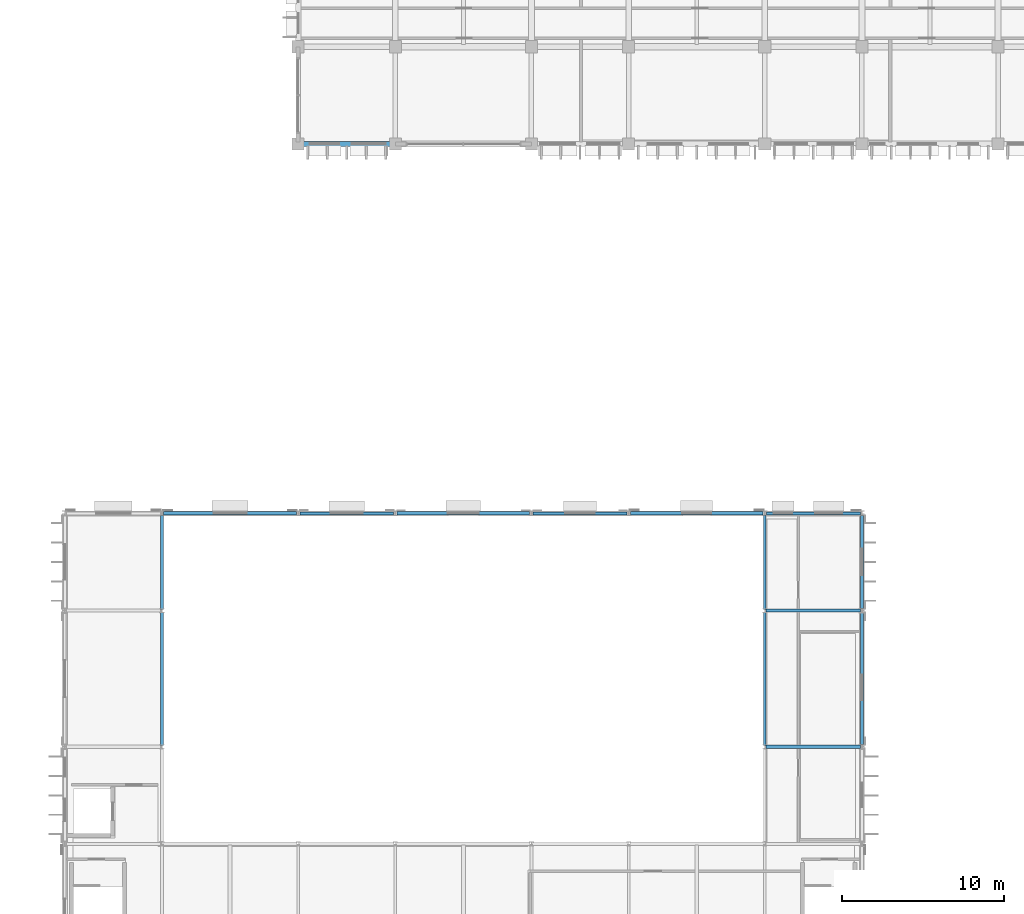
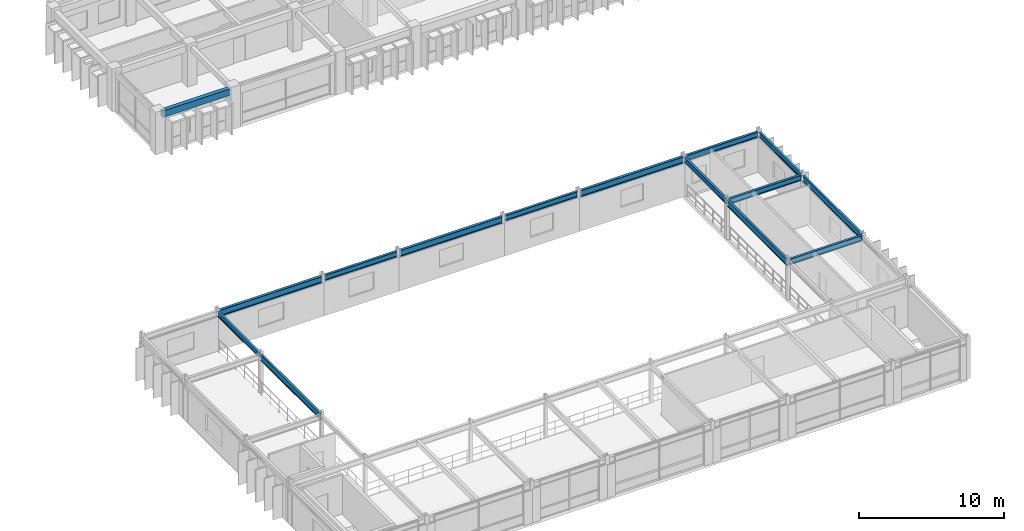
# One storey, part 28 of 88: 15 beams.
"""IFC4 building model written with IfcOpenShell, lengths in metres."""

import ifcopenshell
import ifcopenshell.guid

model = None  # the IFC model being written
_history = None  # IfcOwnerHistory: only IFC2X3 demands one
_inside = {}  # id of a spatial element -> (the spatial element, [elements in it])
_under = {}  # id of a project, library or spatial element -> (it, [spatial elements below it])
_declared = {}  # id of a project -> (the project, [libraries it declares])
_typed = {}  # id of a type object -> (the type object, [elements of that type])
_made_of = {}  # id of a material, layer set ... -> (it, [elements and type objects made of it])


def new_model(schema):
    """Start an empty IFC model of exactly this schema.

    Asked for "IFC4X3", IfcOpenShell would pick the latest addendum, in which some entities
    have other attributes; the version numbers below select the first issue.
    IFC2X3 requires an IfcOwnerHistory on every rooted entity: one is made here for all.
    """
    global model, _history
    if schema == "IFC4X3":
        model = ifcopenshell.file(schema_version=(4, 3, 0, 0))
    else:
        model = ifcopenshell.file(schema=schema)
    _inside.clear()
    _under.clear()
    _declared.clear()
    _typed.clear()
    _made_of.clear()
    _history = None
    if model.schema == "IFC2X3":
        org = make("IfcOrganization", Name="unknown")
        user = make(
            "IfcPersonAndOrganization",
            ThePerson=make("IfcPerson", FamilyName="unknown"),
            TheOrganization=org,
        )
        app = make(
            "IfcApplication",
            ApplicationDeveloper=org,
            Version="unknown",
            ApplicationFullName="unknown",
            ApplicationIdentifier="unknown",
        )
        _history = make(
            "IfcOwnerHistory",
            OwningUser=user,
            OwningApplication=app,
            ChangeAction="ADDED",
            CreationDate=0,
        )
    return model


def make(cls, **values):
    """One entity of the class cls with the attributes given. An attribute that is None is left unset."""
    return model.create_entity(
        cls, **{name: value for name, value in values.items() if value is not None}
    )


def rooted(cls, **values):
    """An entity with a GlobalId (a new one), such as an element, a storey or a relation."""
    return make(cls, GlobalId=ifcopenshell.guid.new(), OwnerHistory=_history, **values)


def si_unit(unit_type, name, prefix=None):
    """IfcSIUnit, for example si_unit("LENGTHUNIT", "METRE", prefix="MILLI")."""
    return make("IfcSIUnit", UnitType=unit_type, Prefix=prefix, Name=name)


def assignment(units):
    """IfcUnitAssignment: the units of a project."""
    return None if units is None else make("IfcUnitAssignment", Units=units)


def point(xyz):
    """IfcCartesianPoint."""
    return None if xyz is None else make("IfcCartesianPoint", Coordinates=xyz)


def direction(xyz):
    """IfcDirection."""
    return None if xyz is None else make("IfcDirection", DirectionRatios=xyz)


def frame(location, z_axis=None, x_axis=None):
    """IfcAxis2Placement3D, a coordinate frame: its origin and axes. An axis left out is left unset."""
    return make(
        "IfcAxis2Placement3D",
        Location=point(location),
        Axis=direction(z_axis),
        RefDirection=direction(x_axis),
    )


def frame_2d(location, x_axis=None):
    """IfcAxis2Placement2D, a coordinate frame in the plane: its origin and x axis."""
    return make(
        "IfcAxis2Placement2D", Location=point(location), RefDirection=direction(x_axis)
    )


def origin():
    """The frame at (0, 0, 0) with its axes left unset."""
    return frame((0.0, 0.0, 0.0))


def origin_2d():
    """The frame at (0, 0) in the plane with its x axis left unset."""
    return frame_2d((0.0, 0.0))


def place(relative_to, where):
    """IfcLocalPlacement: puts the frame where relative to a parent placement (None: the world)."""
    return make(
        "IfcLocalPlacement", PlacementRelTo=relative_to, RelativePlacement=where
    )


def context(
    kind, dimensions, precision=None, world=None, true_north=None, identifier=None
):
    """IfcGeometricRepresentationContext, for example the 3D "Model" context."""
    return make(
        "IfcGeometricRepresentationContext",
        ContextIdentifier=identifier,
        ContextType=kind,
        CoordinateSpaceDimension=dimensions,
        Precision=precision,
        WorldCoordinateSystem=world,
        TrueNorth=true_north,
    )


def subcontext(parent, identifier, kind, view, scale=None):
    """IfcGeometricRepresentationSubContext, for example "Body" below "Model"."""
    return make(
        "IfcGeometricRepresentationSubContext",
        ContextIdentifier=identifier,
        ContextType=kind,
        ParentContext=parent,
        TargetScale=scale,
        TargetView=view,
    )


def project(units=None, contexts=None):
    """IfcProject with its units and contexts."""
    return rooted(
        "IfcProject",
        Name="project",
        RepresentationContexts=contexts,
        UnitsInContext=assignment(units),
    )


def spatial(cls, under=None, at=None, **own):
    """A site, building, storey or space (cls), placed at a placement, below another one or the project."""
    s = rooted(cls, ObjectPlacement=at, **own)
    if under is not None:
        _under.setdefault(under.id(), (under, []))[1].append(s)
    return s


def profile(cls, at=None, kind="AREA", **sizes):
    """A parametric profile (cls). Its sizes go by their IFC names, for example OverallWidth=200.0."""
    return make(cls, ProfileType=kind, Position=at, **sizes)


def rectangle(**sizes):
    """IfcRectangleProfileDef."""
    return profile("IfcRectangleProfileDef", **sizes)


def i_section(**sizes):
    """IfcIShapeProfileDef."""
    return profile("IfcIShapeProfileDef", **sizes)


def extrude(swept, where, along, depth):
    """IfcExtrudedAreaSolid: the profile swept, set in the frame where, extruded along a direction by depth."""
    return make(
        "IfcExtrudedAreaSolid",
        SweptArea=swept,
        Position=where,
        ExtrudedDirection=direction(along),
        Depth=depth,
    )


def shape(context_of_items, identifier, shape_type, items):
    """IfcShapeRepresentation: the items that make up one representation, for example the "Body"."""
    return make(
        "IfcShapeRepresentation",
        ContextOfItems=context_of_items,
        RepresentationIdentifier=identifier,
        RepresentationType=shape_type,
        Items=items,
    )


def material(Name=None, Category=None):
    """IfcMaterial."""
    return make("IfcMaterial", Name=Name, Category=Category)


def material_profile(
    of_material, cross_section, Name=None, Category=None, Priority=None
):
    """IfcMaterialProfile: a cross section and its material."""
    return make(
        "IfcMaterialProfile",
        Name=Name,
        Material=of_material,
        Profile=cross_section,
        Priority=Priority,
        Category=Category,
    )


def profile_set(profiles, Name=None, composite=None):
    """IfcMaterialProfileSet."""
    return make(
        "IfcMaterialProfileSet",
        Name=Name,
        MaterialProfiles=profiles,
        CompositeProfile=composite,
    )


def made_of(thing, what):
    """Note that an element or type object is made of a material, layer set ...; save() writes the relation."""
    if what is not None:
        _made_of.setdefault(what.id(), (what, []))[1].append(thing)
    return thing


def type_object(cls, material=None, **own):
    """A type object (cls), such as IfcWallType, which elements share."""
    return made_of(rooted(cls, **own), material)


def element(
    cls,
    number,
    at=None,
    inside=None,
    cuts=None,
    type_object=None,
    material=None,
    context=None,
    identifier="Body",
    shape_type=None,
    held_by="IfcProductDefinitionShape",
    body=None,
    shapes=None,
    **own,
):
    """One element of the class cls, such as IfcWall. Its Tag is "e" and its number.

    at: its placement. inside: the storey or other place that contains it. cuts: it is an
    opening in that element (IfcRelVoidsElement). A single representation is given by context,
    identifier, shape_type and body (its items); several are given by shapes. held_by: the class
    of the entity that holds the representations. save() writes the other relations.
    """
    e = rooted(cls, Tag="e%d" % number, ObjectPlacement=at, **own)
    if body is not None:
        shapes = [shape(context, identifier, shape_type, body)]
    if shapes is not None:
        e.Representation = make(held_by, Representations=shapes)
    if inside is not None:
        _inside.setdefault(inside.id(), (inside, []))[1].append(e)
    if cuts is not None:
        rooted(
            "IfcRelVoidsElement", RelatingBuildingElement=cuts, RelatedOpeningElement=e
        )
    if type_object is not None:
        _typed.setdefault(type_object.id(), (type_object, []))[1].append(e)
    return made_of(e, material)


def aggregate(whole, parts):
    """IfcRelAggregates: a whole, such as a stair, and the parts it consists of."""
    return rooted("IfcRelAggregates", RelatingObject=whole, RelatedObjects=parts)


def save(model, path):
    """Write the relations noted so far, then the file.

    IfcRelAggregates (storeys below a building ...), IfcRelContainedInSpatialStructure (elements
    in a storey), IfcRelDefinesByType, IfcRelAssociatesMaterial and IfcRelDeclares: one each for
    every whole, place, type object, material and project.
    """
    for whole, parts in _under.values():
        aggregate(whole, parts)
    for where, things in _inside.values():
        rooted(
            "IfcRelContainedInSpatialStructure",
            RelatedElements=things,
            RelatingStructure=where,
        )
    for kind, things in _typed.values():
        rooted("IfcRelDefinesByType", RelatedObjects=things, RelatingType=kind)
    for what, things in _made_of.values():
        rooted("IfcRelAssociatesMaterial", RelatedObjects=things, RelatingMaterial=what)
    for by, libraries in _declared.values():
        rooted("IfcRelDeclares", RelatingContext=by, RelatedDefinitions=libraries)
    model.write(path)


model = new_model("IFC4")

# Units and contexts
model_context = context("Model", 3, precision=1e-05, world=origin(), true_north=direction((0.0, 1.0)))
body_context = subcontext(model_context, "Body", "Model", "MODEL_VIEW")
ifc_project = project(units=[si_unit("LENGTHUNIT", "METRE"), si_unit("AREAUNIT", "SQUARE_METRE"), si_unit("VOLUMEUNIT", "CUBIC_METRE"), si_unit("PLANEANGLEUNIT", "RADIAN"), si_unit("MASSUNIT", "GRAM", prefix="KILO"), si_unit("THERMODYNAMICTEMPERATUREUNIT", "KELVIN")], contexts=[model_context])

# Site, building, storey
site_placement = place(None, origin())
site = spatial("IfcSite", under=ifc_project, at=site_placement, CompositionType="ELEMENT")
building_placement = place(site_placement, origin())
building = spatial("IfcBuilding", under=site, at=building_placement, Name="Thalorik Housing Commons", CompositionType="ELEMENT")
storey_placement = place(building_placement, frame((0.0, 0.0, 4.5)))
storey = spatial("IfcBuildingStorey", under=building, at=storey_placement, Name="L01", CompositionType="ELEMENT", Elevation=4.5)

# Beams
ifc_material_1 = material(Name="Precast concrete C40/50", Category="concrete")
ifc_material_profile_1 = material_profile(ifc_material_1, rectangle(XDim=0.320068359375, YDim=0.550048828125, at=origin_2d()), Name="PC 320x550", Category="concrete")
ifc_profile_set_1 = profile_set([ifc_material_profile_1], Name="Precast concrete C40/50")
beam_type_1 = type_object("IfcBeamType", Name="STR-BM-PC320x550", PredefinedType="BEAM", material=ifc_profile_set_1)
beam_1_placement = place(storey_placement, frame((80.72509765625, 109.199951171875, 3.06494140625), z_axis=(1.0, 0.0, 0.0), x_axis=(0.0, 1.0, 0.0)))
element("IfcBeam", 1, at=beam_1_placement, inside=storey, type_object=beam_type_1, Name="L01 Beam B-550", PredefinedType="BEAM", context=body_context, shape_type="SweptSolid", body=[
    extrude(rectangle(XDim=0.320068359375, YDim=0.550048828125, at=origin_2d()), origin(), (0.0, 0.0, 1.0), 5.349853515625),
])
ifc_material_2 = material(Name="Steel S355", Category="steel")
ifc_material_profile_2 = material_profile(ifc_material_2, i_section(OverallWidth=0.179931640625, OverallDepth=0.4130859375, WebThickness=0.009765625, FlangeThickness=0.01611328125, FilletRadius=0.010986328125, at=origin_2d()), Name="W410x75", Category="steel")
ifc_profile_set_2 = profile_set([ifc_material_profile_2], Name="Steel S355")
beam_type_2 = type_object("IfcBeamType", Name="STR-BM-W410x75", PredefinedType="BEAM", material=ifc_profile_set_2)
for number, where, z_axis, x_axis, name in (
    (2, (72.0, 80.47705078125, 3.133544921875), (0.0, 1.0, 0.0), (-1.0, 0.0, 0.0), "L01 Beam SB-410"),
    (3, (109.199951171875, 80.47705078125, 3.133544921875), (0.0, 1.0, 0.0), (-1.0, 0.0, 0.0), "L01 Beam SB-410"),
):
    element("IfcBeam", number, at=place(storey_placement, frame(where, z_axis=z_axis, x_axis=x_axis)), inside=storey, type_object=beam_type_2, Name=name, PredefinedType="BEAM", context=body_context, shape_type="SweptSolid", body=[
        extrude(i_section(OverallWidth=0.179931640625, OverallDepth=0.4130859375, WebThickness=0.009765625, FlangeThickness=0.01611328125, FilletRadius=0.010986328125, at=origin_2d()), origin(), (0.0, 0.0, 1.0), 5.81884765625),
    ])
beam_2_placement = place(storey_placement, frame((115.199951171875, 80.50390625, 3.133544921875), z_axis=(0.0, 1.0, 0.0), x_axis=(-1.0, 0.0, 0.0)))
element("IfcBeam", 4, at=beam_2_placement, inside=storey, type_object=beam_type_2, Name="L01 Beam SB-410", PredefinedType="BEAM", context=body_context, shape_type="SweptSolid", body=[
    extrude(i_section(OverallWidth=0.179931640625, OverallDepth=0.4130859375, WebThickness=0.009765625, FlangeThickness=0.01611328125, FilletRadius=0.010986328125, at=origin_2d()), origin(), (0.0, 0.0, 1.0), 5.7919921875),
])
ifc_material_profile_3 = material_profile(ifc_material_2, i_section(OverallWidth=0.19189453125, OverallDepth=0.462890625, WebThickness=0.010498046875, FlangeThickness=0.017578125, FilletRadius=0.011962890625, at=origin_2d()), Name="W460x89", Category="steel")
ifc_profile_set_3 = profile_set([ifc_material_profile_3], Name="Steel S355")
beam_type_3 = type_object("IfcBeamType", Name="STR-BM-W460x89", PredefinedType="BEAM", material=ifc_profile_set_3)
for number, where, z_axis, x_axis, name in (
    (5, (109.280029296875, 72.0, 3.1083984375), (1.0, 0.0, 0.0), (0.0, 1.0, 0.0), "L01 Beam SB-460"),
    (6, (109.280029296875, 80.39990234375, 3.1083984375), (1.0, 0.0, 0.0), (0.0, 1.0, 0.0), "L01 Beam SB-460"),
):
    element("IfcBeam", number, at=place(storey_placement, frame(where, z_axis=z_axis, x_axis=x_axis)), inside=storey, type_object=beam_type_3, Name=name, PredefinedType="BEAM", context=body_context, shape_type="SweptSolid", body=[
        extrude(i_section(OverallWidth=0.19189453125, OverallDepth=0.462890625, WebThickness=0.010498046875, FlangeThickness=0.017578125, FilletRadius=0.011962890625, at=origin_2d()), origin(), (0.0, 0.0, 1.0), 5.81494140625),
    ])
for number, where, z_axis, x_axis, name in (
    (7, (80.5048828125, 86.39990234375, 3.1083984375), (1.0, 0.0, 0.0), (0.0, 1.0, 0.0), "L01 Beam SB-460"),
    (8, (94.905029296875, 86.39990234375, 3.1083984375), (1.0, 0.0, 0.0), (0.0, 1.0, 0.0), "L01 Beam SB-460"),
    (9, (109.304931640625, 86.39990234375, 3.1083984375), (1.0, 0.0, 0.0), (0.0, 1.0, 0.0), "L01 Beam SB-460"),
):
    element("IfcBeam", number, at=place(storey_placement, frame(where, z_axis=z_axis, x_axis=x_axis)), inside=storey, type_object=beam_type_3, Name=name, PredefinedType="BEAM", context=body_context, shape_type="SweptSolid", body=[
        extrude(i_section(OverallWidth=0.19189453125, OverallDepth=0.462890625, WebThickness=0.010498046875, FlangeThickness=0.017578125, FilletRadius=0.011962890625, at=origin_2d()), origin(), (0.0, 0.0, 1.0), 5.7900390625),
    ])
ifc_material_profile_4 = material_profile(ifc_material_2, i_section(OverallWidth=0.2109375, OverallDepth=0.5390625, WebThickness=0.01171875, FlangeThickness=0.018798828125, FilletRadius=0.012939453125, at=origin_2d()), Name="W530x109", Category="steel")
ifc_profile_set_4 = profile_set([ifc_material_profile_4], Name="Steel S355")
beam_type_4 = type_object("IfcBeamType", Name="STR-BM-W530x109", PredefinedType="BEAM", material=ifc_profile_set_4)
beam_3_placement = place(storey_placement, frame((72.10498046875, 86.39990234375, 3.070556640625), z_axis=(1.0, 0.0, 0.0), x_axis=(0.0, 1.0, 0.0)))
element("IfcBeam", 10, at=beam_3_placement, inside=storey, type_object=beam_type_4, Name="L01 Beam SB-530", PredefinedType="BEAM", context=body_context, shape_type="SweptSolid", body=[
    extrude(i_section(OverallWidth=0.2109375, OverallDepth=0.5390625, WebThickness=0.01171875, FlangeThickness=0.018798828125, FilletRadius=0.012939453125, at=origin_2d()), origin(), (0.0, 0.0, 1.0), 8.18994140625),
])
beam_4_placement = place(storey_placement, frame((86.5048828125, 86.39990234375, 3.070556640625), z_axis=(1.0, 0.0, 0.0), x_axis=(0.0, 1.0, 0.0)))
element("IfcBeam", 11, at=beam_4_placement, inside=storey, type_object=beam_type_4, Name="L01 Beam SB-530", PredefinedType="BEAM", context=body_context, shape_type="SweptSolid", body=[
    extrude(i_section(OverallWidth=0.2109375, OverallDepth=0.5390625, WebThickness=0.01171875, FlangeThickness=0.018798828125, FilletRadius=0.012939453125, at=origin_2d()), origin(), (0.0, 0.0, 1.0), 8.190185546875),
])
beam_5_placement = place(storey_placement, frame((100.905029296875, 86.39990234375, 3.070556640625), z_axis=(1.0, 0.0, 0.0), x_axis=(0.0, 1.0, 0.0)))
element("IfcBeam", 12, at=beam_5_placement, inside=storey, type_object=beam_type_4, Name="L01 Beam SB-530", PredefinedType="BEAM", context=body_context, shape_type="SweptSolid", body=[
    extrude(i_section(OverallWidth=0.2109375, OverallDepth=0.5390625, WebThickness=0.01171875, FlangeThickness=0.018798828125, FilletRadius=0.012939453125, at=origin_2d()), origin(), (0.0, 0.0, 1.0), 8.18994140625),
])
ifc_material_profile_5 = material_profile(ifc_material_2, i_section(OverallWidth=0.166015625, OverallDepth=0.534912109375, WebThickness=0.01025390625, FlangeThickness=0.0166015625, FilletRadius=0.012939453125, at=origin_2d()), Name="W530x85", Category="steel")
ifc_profile_set_5 = profile_set([ifc_material_profile_5], Name="Steel S355")
beam_type_5 = type_object("IfcBeamType", Name="STR-BM-W530x85", PredefinedType="BEAM", material=ifc_profile_set_5)
for number, where, z_axis, x_axis, name in (
    (13, (72.0, 72.076904296875, 3.072509765625), (0.0, 1.0, 0.0), (-1.0, 0.0, 0.0), "L01 Beam SB-535"),
    (14, (109.199951171875, 72.076904296875, 3.072509765625), (0.0, 1.0, 0.0), (-1.0, 0.0, 0.0), "L01 Beam SB-535"),
):
    element("IfcBeam", number, at=place(storey_placement, frame(where, z_axis=z_axis, x_axis=x_axis)), inside=storey, type_object=beam_type_5, Name=name, PredefinedType="BEAM", context=body_context, shape_type="SweptSolid", body=[
        extrude(i_section(OverallWidth=0.166015625, OverallDepth=0.534912109375, WebThickness=0.01025390625, FlangeThickness=0.0166015625, FilletRadius=0.012939453125, at=origin_2d()), origin(), (0.0, 0.0, 1.0), 8.24609375),
    ])
beam_6_placement = place(storey_placement, frame((115.199951171875, 72.10400390625, 3.072509765625), z_axis=(0.0, 1.0, 0.0), x_axis=(-1.0, 0.0, 0.0)))
element("IfcBeam", 15, at=beam_6_placement, inside=storey, type_object=beam_type_5, Name="L01 Beam SB-535", PredefinedType="BEAM", context=body_context, shape_type="SweptSolid", body=[
    extrude(i_section(OverallWidth=0.166015625, OverallDepth=0.534912109375, WebThickness=0.01025390625, FlangeThickness=0.0166015625, FilletRadius=0.012939453125, at=origin_2d()), origin(), (0.0, 0.0, 1.0), 8.19189453125),
])

save(model, "model.ifc")
